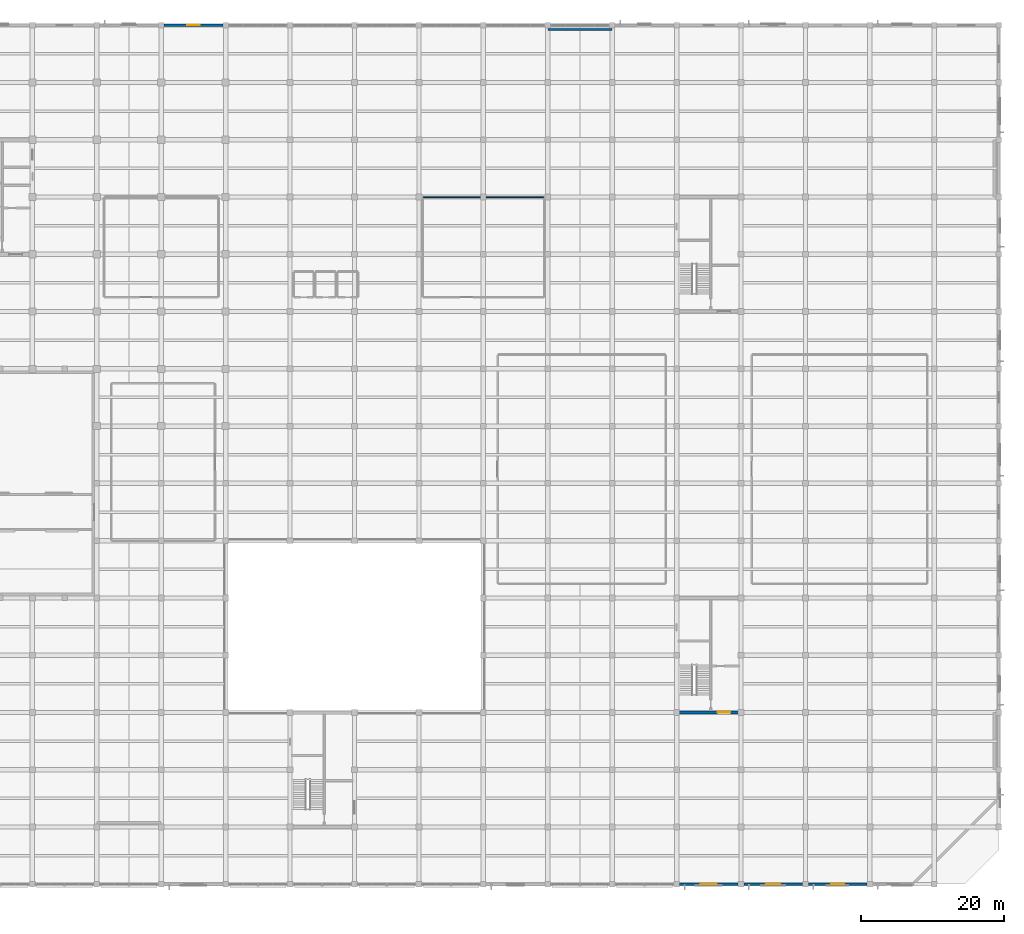
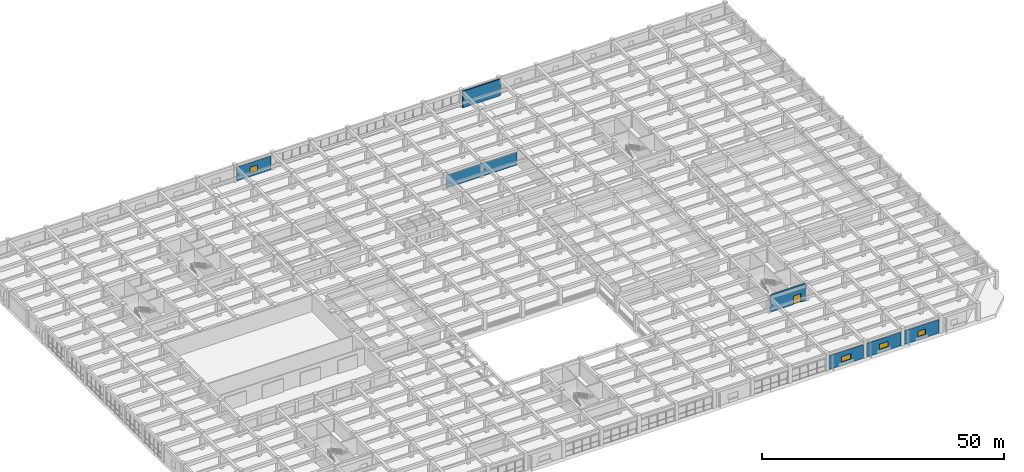
# One storey, part 32 of 50: 7 walls, 4 windows, 1 door, 5 openings.
"""IFC4 building model written with IfcOpenShell, lengths in metres."""

import ifcopenshell
import ifcopenshell.guid

model = None  # the IFC model being written
_history = None  # IfcOwnerHistory: only IFC2X3 demands one
_inside = {}  # id of a spatial element -> (the spatial element, [elements in it])
_under = {}  # id of a project, library or spatial element -> (it, [spatial elements below it])
_declared = {}  # id of a project -> (the project, [libraries it declares])
_typed = {}  # id of a type object -> (the type object, [elements of that type])
_made_of = {}  # id of a material, layer set ... -> (it, [elements and type objects made of it])


def new_model(schema):
    """Start an empty IFC model of exactly this schema.

    Asked for "IFC4X3", IfcOpenShell would pick the latest addendum, in which some entities
    have other attributes; the version numbers below select the first issue.
    IFC2X3 requires an IfcOwnerHistory on every rooted entity: one is made here for all.
    """
    global model, _history
    if schema == "IFC4X3":
        model = ifcopenshell.file(schema_version=(4, 3, 0, 0))
    else:
        model = ifcopenshell.file(schema=schema)
    _inside.clear()
    _under.clear()
    _declared.clear()
    _typed.clear()
    _made_of.clear()
    _history = None
    if model.schema == "IFC2X3":
        org = make("IfcOrganization", Name="unknown")
        user = make(
            "IfcPersonAndOrganization",
            ThePerson=make("IfcPerson", FamilyName="unknown"),
            TheOrganization=org,
        )
        app = make(
            "IfcApplication",
            ApplicationDeveloper=org,
            Version="unknown",
            ApplicationFullName="unknown",
            ApplicationIdentifier="unknown",
        )
        _history = make(
            "IfcOwnerHistory",
            OwningUser=user,
            OwningApplication=app,
            ChangeAction="ADDED",
            CreationDate=0,
        )
    return model


def make(cls, **values):
    """One entity of the class cls with the attributes given. An attribute that is None is left unset."""
    return model.create_entity(
        cls, **{name: value for name, value in values.items() if value is not None}
    )


def rooted(cls, **values):
    """An entity with a GlobalId (a new one), such as an element, a storey or a relation."""
    return make(cls, GlobalId=ifcopenshell.guid.new(), OwnerHistory=_history, **values)


def si_unit(unit_type, name, prefix=None):
    """IfcSIUnit, for example si_unit("LENGTHUNIT", "METRE", prefix="MILLI")."""
    return make("IfcSIUnit", UnitType=unit_type, Prefix=prefix, Name=name)


def assignment(units):
    """IfcUnitAssignment: the units of a project."""
    return None if units is None else make("IfcUnitAssignment", Units=units)


def point(xyz):
    """IfcCartesianPoint."""
    return None if xyz is None else make("IfcCartesianPoint", Coordinates=xyz)


def direction(xyz):
    """IfcDirection."""
    return None if xyz is None else make("IfcDirection", DirectionRatios=xyz)


def frame(location, z_axis=None, x_axis=None):
    """IfcAxis2Placement3D, a coordinate frame: its origin and axes. An axis left out is left unset."""
    return make(
        "IfcAxis2Placement3D",
        Location=point(location),
        Axis=direction(z_axis),
        RefDirection=direction(x_axis),
    )


def frame_2d(location, x_axis=None):
    """IfcAxis2Placement2D, a coordinate frame in the plane: its origin and x axis."""
    return make(
        "IfcAxis2Placement2D", Location=point(location), RefDirection=direction(x_axis)
    )


def origin():
    """The frame at (0, 0, 0) with its axes left unset."""
    return frame((0.0, 0.0, 0.0))


def place(relative_to, where):
    """IfcLocalPlacement: puts the frame where relative to a parent placement (None: the world)."""
    return make(
        "IfcLocalPlacement", PlacementRelTo=relative_to, RelativePlacement=where
    )


def context(
    kind, dimensions, precision=None, world=None, true_north=None, identifier=None
):
    """IfcGeometricRepresentationContext, for example the 3D "Model" context."""
    return make(
        "IfcGeometricRepresentationContext",
        ContextIdentifier=identifier,
        ContextType=kind,
        CoordinateSpaceDimension=dimensions,
        Precision=precision,
        WorldCoordinateSystem=world,
        TrueNorth=true_north,
    )


def subcontext(parent, identifier, kind, view, scale=None):
    """IfcGeometricRepresentationSubContext, for example "Body" below "Model"."""
    return make(
        "IfcGeometricRepresentationSubContext",
        ContextIdentifier=identifier,
        ContextType=kind,
        ParentContext=parent,
        TargetScale=scale,
        TargetView=view,
    )


def project(units=None, contexts=None):
    """IfcProject with its units and contexts."""
    return rooted(
        "IfcProject",
        Name="project",
        RepresentationContexts=contexts,
        UnitsInContext=assignment(units),
    )


def spatial(cls, under=None, at=None, **own):
    """A site, building, storey or space (cls), placed at a placement, below another one or the project."""
    s = rooted(cls, ObjectPlacement=at, **own)
    if under is not None:
        _under.setdefault(under.id(), (under, []))[1].append(s)
    return s


def profile(cls, at=None, kind="AREA", **sizes):
    """A parametric profile (cls). Its sizes go by their IFC names, for example OverallWidth=200.0."""
    return make(cls, ProfileType=kind, Position=at, **sizes)


def rectangle(**sizes):
    """IfcRectangleProfileDef."""
    return profile("IfcRectangleProfileDef", **sizes)


def extrude(swept, where, along, depth):
    """IfcExtrudedAreaSolid: the profile swept, set in the frame where, extruded along a direction by depth."""
    return make(
        "IfcExtrudedAreaSolid",
        SweptArea=swept,
        Position=where,
        ExtrudedDirection=direction(along),
        Depth=depth,
    )


def shape(context_of_items, identifier, shape_type, items):
    """IfcShapeRepresentation: the items that make up one representation, for example the "Body"."""
    return make(
        "IfcShapeRepresentation",
        ContextOfItems=context_of_items,
        RepresentationIdentifier=identifier,
        RepresentationType=shape_type,
        Items=items,
    )


def material(Name=None, Category=None):
    """IfcMaterial."""
    return make("IfcMaterial", Name=Name, Category=Category)


def layer(
    of_material, thickness, ventilated=None, Name=None, Category=None, Priority=None
):
    """IfcMaterialLayer: one layer of a wall or slab, of a material (None: an air gap)."""
    return make(
        "IfcMaterialLayer",
        Material=of_material,
        LayerThickness=thickness,
        IsVentilated=ventilated,
        Name=Name,
        Category=Category,
        Priority=Priority,
    )


def layer_set(layers, Name=None):
    """IfcMaterialLayerSet."""
    return make("IfcMaterialLayerSet", MaterialLayers=layers, LayerSetName=Name)


def made_of(thing, what):
    """Note that an element or type object is made of a material, layer set ...; save() writes the relation."""
    if what is not None:
        _made_of.setdefault(what.id(), (what, []))[1].append(thing)
    return thing


def type_object(cls, material=None, **own):
    """A type object (cls), such as IfcWallType, which elements share."""
    return made_of(rooted(cls, **own), material)


def element(
    cls,
    number,
    at=None,
    inside=None,
    cuts=None,
    type_object=None,
    material=None,
    context=None,
    identifier="Body",
    shape_type=None,
    held_by="IfcProductDefinitionShape",
    body=None,
    shapes=None,
    **own,
):
    """One element of the class cls, such as IfcWall. Its Tag is "e" and its number.

    at: its placement. inside: the storey or other place that contains it. cuts: it is an
    opening in that element (IfcRelVoidsElement). A single representation is given by context,
    identifier, shape_type and body (its items); several are given by shapes. held_by: the class
    of the entity that holds the representations. save() writes the other relations.
    """
    e = rooted(cls, Tag="e%d" % number, ObjectPlacement=at, **own)
    if body is not None:
        shapes = [shape(context, identifier, shape_type, body)]
    if shapes is not None:
        e.Representation = make(held_by, Representations=shapes)
    if inside is not None:
        _inside.setdefault(inside.id(), (inside, []))[1].append(e)
    if cuts is not None:
        rooted(
            "IfcRelVoidsElement", RelatingBuildingElement=cuts, RelatedOpeningElement=e
        )
    if type_object is not None:
        _typed.setdefault(type_object.id(), (type_object, []))[1].append(e)
    return made_of(e, material)


def fill(opening, filler):
    """IfcRelFillsElement: the door or window that sits in an opening."""
    return rooted(
        "IfcRelFillsElement",
        RelatingOpeningElement=opening,
        RelatedBuildingElement=filler,
    )


def aggregate(whole, parts):
    """IfcRelAggregates: a whole, such as a stair, and the parts it consists of."""
    return rooted("IfcRelAggregates", RelatingObject=whole, RelatedObjects=parts)


def save(model, path):
    """Write the relations noted so far, then the file.

    IfcRelAggregates (storeys below a building ...), IfcRelContainedInSpatialStructure (elements
    in a storey), IfcRelDefinesByType, IfcRelAssociatesMaterial and IfcRelDeclares: one each for
    every whole, place, type object, material and project.
    """
    for whole, parts in _under.values():
        aggregate(whole, parts)
    for where, things in _inside.values():
        rooted(
            "IfcRelContainedInSpatialStructure",
            RelatedElements=things,
            RelatingStructure=where,
        )
    for kind, things in _typed.values():
        rooted("IfcRelDefinesByType", RelatedObjects=things, RelatingType=kind)
    for what, things in _made_of.values():
        rooted("IfcRelAssociatesMaterial", RelatedObjects=things, RelatingMaterial=what)
    for by, libraries in _declared.values():
        rooted("IfcRelDeclares", RelatingContext=by, RelatedDefinitions=libraries)
    model.write(path)


model = new_model("IFC4")

# Units and contexts
model_context = context("Model", 3, precision=1e-05, world=origin(), true_north=direction((0.0, 1.0)))
body_context = subcontext(model_context, "Body", "Model", "MODEL_VIEW")
ifc_project = project(units=[si_unit("LENGTHUNIT", "METRE"), si_unit("AREAUNIT", "SQUARE_METRE"), si_unit("VOLUMEUNIT", "CUBIC_METRE"), si_unit("PLANEANGLEUNIT", "RADIAN"), si_unit("MASSUNIT", "GRAM", prefix="KILO")], contexts=[model_context])

# Site, building, storey
site_placement = place(None, origin())
site = spatial("IfcSite", under=ifc_project, at=site_placement, CompositionType="ELEMENT")
building_placement = place(site_placement, origin())
building = spatial("IfcBuilding", under=site, at=building_placement, Name="Zaverband Oceanarium and Marine Research Institute", CompositionType="ELEMENT")
storey_placement = place(building_placement, frame((0.0, 0.0, 4.5)))
storey = spatial("IfcBuildingStorey", under=building, at=storey_placement, Name="L01", CompositionType="ELEMENT", Elevation=4.5)

# Wall, opening, door
ifc_material_1 = material(Name="Concrete C50/60", Category="concrete")
ifc_layer_1 = layer(ifc_material_1, 0.449951171875, Name="Concrete C50/60")
ifc_layer_set_1 = layer_set([ifc_layer_1], Name="Concrete C50/60")
wall_type_1 = type_object("IfcWallType", Name="CW-02", PredefinedType="SHEAR", material=ifc_layer_set_1)
wall_1_placement = place(storey_placement, frame((135.22509765625, 24.0, 0.0), z_axis=(0.0, 0.0, 1.0), x_axis=(1.0, 0.0, 0.0)))
wall_1 = element("IfcWall", 1, at=wall_1_placement, inside=storey, type_object=wall_type_1, Name="Structural shear wall CW-02", PredefinedType="SHEAR", context=body_context, shape_type="SweptSolid", body=[
    extrude(rectangle(XDim=8.5498046875, YDim=0.449951171875, at=frame_2d((4.27490234375, 0.0))), origin(), (0.0, 0.0, 1.0), 4.179931640625),
])
opening_1_placement = place(wall_1_placement, frame((5.5, 0.0, 0.0)))
opening_1 = element("IfcOpeningElement", 2, at=opening_1_placement, cuts=wall_1, Name="Opening FD-02", PredefinedType="OPENING", context=body_context, shape_type="SweptSolid", body=[
    extrude(rectangle(XDim=1.800048828125, YDim=2.179931640625, at=frame_2d((0.89990234375, 1.08984375))), frame((0.0, 0.23681640625, 0.0), z_axis=(0.0, -1.0, 0.0), x_axis=(1.0, 0.0, 0.0)), (0.0, 0.0, 1.0), 0.473876953125),
])
ifc_material_2 = material(Name="Steel S355", Category="steel")
door_type = type_object("IfcDoorType", Name="FD-02", OperationType="DOUBLE_DOOR_SINGLE_SWING", PredefinedType="DOOR", material=ifc_material_2)
door_placement = place(opening_1_placement, origin())
door = element("IfcDoor", 3, at=door_placement, inside=storey, type_object=door_type, Name="Protected lobby double fire door FD-02", OperationType="DOUBLE_DOOR_SINGLE_SWING", OverallHeight=2.179931640625, OverallWidth=1.800048828125, PredefinedType="DOOR", context=body_context, shape_type="SweptSolid", body=[
    extrude(rectangle(XDim=1.800048828125, YDim=2.179931640625, at=frame_2d((0.89990234375, 1.08984375))), frame((0.0, 0.02490234375, 0.0), z_axis=(0.0, -1.0, 0.0), x_axis=(1.0, 0.0, 0.0)), (0.0, 0.0, 1.0), 0.050048828125),
])
fill(opening_1, door)

# Wall, opening, window
ifc_material_3 = material(Name="Concrete C40/50 precast", Category="concrete")
ifc_layer_2 = layer(ifc_material_3, 0.2900390625, Name="Concrete C40/50 precast")
ifc_layer_set_2 = layer_set([ifc_layer_2], Name="Concrete C40/50 precast")
wall_type_2 = type_object("IfcWallType", Name="EW-290", PredefinedType="STANDARD", material=ifc_layer_set_2)
wall_2_placement = place(storey_placement, frame((153.405029296875, 0.0, 0.0), z_axis=(0.0, 0.0, 1.0), x_axis=(1.0, 0.0, 0.0)))
wall_2 = element("IfcWall", 4, at=wall_2_placement, inside=storey, type_object=wall_type_2, Name="Exterior infill wall EW-290", PredefinedType="STANDARD", context=body_context, shape_type="SweptSolid", body=[
    extrude(rectangle(XDim=8.18994140625, YDim=0.2900390625, at=frame_2d((4.094970703125, 0.0))), origin(), (0.0, 0.0, 1.0), 3.4599609375),
])
opening_2_placement = place(wall_2_placement, frame((3.195068359375, 0.0, 0.85009765625)))
opening_2 = element("IfcOpeningElement", 5, at=opening_2_placement, cuts=wall_2, Name="Opening WN-1800x1350", PredefinedType="OPENING", context=body_context, shape_type="SweptSolid", body=[
    extrude(rectangle(XDim=1.800048828125, YDim=1.35009765625, at=frame_2d((0.89990234375, 0.675048828125))), frame((0.0, 0.156982421875, 0.0), z_axis=(0.0, -1.0, 0.0), x_axis=(1.0, 0.0, 0.0)), (0.0, 0.0, 1.0), 0.31396484375),
])
ifc_material_4 = material(Name="Thermally broken anodized aluminium and solar-control glass", Category="aluminium")
window_type_1 = type_object("IfcWindowType", Name="WN-1800x1350", PartitioningType="SINGLE_PANEL", PredefinedType="WINDOW", material=ifc_material_4)
window_1_placement = place(opening_2_placement, origin())
window_1 = element("IfcWindow", 6, at=window_1_placement, inside=storey, type_object=window_type_1, Name="Fixed / casement exterior window WN-1800x1350", OverallHeight=1.35009765625, OverallWidth=1.800048828125, PartitioningType="SINGLE_PANEL", PredefinedType="WINDOW", context=body_context, shape_type="SweptSolid", body=[
    extrude(rectangle(XDim=1.800048828125, YDim=1.35009765625, at=frame_2d((0.89990234375, 0.675048828125))), frame((0.0, 0.030029296875, 0.0), z_axis=(0.0, -1.0, 0.0), x_axis=(1.0, 0.0, 0.0)), (0.0, 0.0, 1.0), 0.06005859375),
])
fill(opening_2, window_1)

ifc_layer_3 = layer(ifc_material_3, 0.31005859375, Name="Concrete C40/50 precast")
ifc_layer_set_3 = layer_set([ifc_layer_3], Name="Concrete C40/50 precast")
wall_type_3 = type_object("IfcWallType", Name="EW-310", PredefinedType="STANDARD", material=ifc_layer_set_3)
wall_3_placement = place(storey_placement, frame((144.405029296875, 0.0, 0.0), z_axis=(0.0, 0.0, 1.0), x_axis=(1.0, 0.0, 0.0)))
wall_3 = element("IfcWall", 7, at=wall_3_placement, inside=storey, type_object=wall_type_3, Name="Exterior infill wall EW-310", PredefinedType="STANDARD", context=body_context, shape_type="SweptSolid", body=[
    extrude(rectangle(XDim=8.18994140625, YDim=0.31005859375, at=frame_2d((4.094970703125, 0.0))), origin(), (0.0, 0.0, 1.0), 3.4599609375),
])
opening_3_placement = place(wall_3_placement, frame((3.094970703125, 0.0, 0.85009765625)))
opening_3 = element("IfcOpeningElement", 8, at=opening_3_placement, cuts=wall_3, Name="Opening WN-2000x1350", PredefinedType="OPENING", context=body_context, shape_type="SweptSolid", body=[
    extrude(rectangle(XDim=2.0, YDim=1.35009765625, at=frame_2d((1.0, 0.675048828125))), frame((0.0, 0.1669921875, 0.0), z_axis=(0.0, -1.0, 0.0), x_axis=(1.0, 0.0, 0.0)), (0.0, 0.0, 1.0), 0.333984375),
])
window_type_2 = type_object("IfcWindowType", Name="WN-2000x1350", PartitioningType="SINGLE_PANEL", PredefinedType="WINDOW", material=ifc_material_4)
window_2_placement = place(opening_3_placement, origin())
window_2 = element("IfcWindow", 9, at=window_2_placement, inside=storey, type_object=window_type_2, Name="Fixed / casement exterior window WN-2000x1350", OverallHeight=1.35009765625, OverallWidth=2.0, PartitioningType="SINGLE_PANEL", PredefinedType="WINDOW", context=body_context, shape_type="SweptSolid", body=[
    extrude(rectangle(XDim=2.0, YDim=1.35009765625, at=frame_2d((1.0, 0.675048828125))), frame((0.0, 0.030029296875, 0.0), z_axis=(0.0, -1.0, 0.0), x_axis=(1.0, 0.0, 0.0)), (0.0, 0.0, 1.0), 0.06005859375),
])
fill(opening_3, window_2)

ifc_layer_4 = layer(ifc_material_3, 0.340087890625, Name="Concrete C40/50 precast")
ifc_layer_set_4 = layer_set([ifc_layer_4], Name="Concrete C40/50 precast")
wall_type_4 = type_object("IfcWallType", Name="EW-340", PredefinedType="STANDARD", material=ifc_layer_set_4)
wall_4_placement = place(storey_placement, frame((135.405029296875, 0.0, 0.0), z_axis=(0.0, 0.0, 1.0), x_axis=(1.0, 0.0, 0.0)))
wall_4 = element("IfcWall", 10, at=wall_4_placement, inside=storey, type_object=wall_type_4, Name="Exterior infill wall EW-340", PredefinedType="STANDARD", context=body_context, shape_type="SweptSolid", body=[
    extrude(rectangle(XDim=8.18994140625, YDim=0.340087890625, at=frame_2d((4.094970703125, 0.0))), origin(), (0.0, 0.0, 1.0), 3.4599609375),
])
opening_4_placement = place(wall_4_placement, frame((2.9951171875, 0.0, 0.85009765625)))
opening_4 = element("IfcOpeningElement", 11, at=opening_4_placement, cuts=wall_4, Name="Opening WN-2200x1350", PredefinedType="OPENING", context=body_context, shape_type="SweptSolid", body=[
    extrude(rectangle(XDim=2.199951171875, YDim=1.35009765625, at=frame_2d((1.10009765625, 0.675048828125))), frame((0.0, 0.18212890625, 0.0), z_axis=(0.0, -1.0, 0.0), x_axis=(1.0, 0.0, 0.0)), (0.0, 0.0, 1.0), 0.364013671875),
])
window_type_3 = type_object("IfcWindowType", Name="WN-2200x1350", PartitioningType="SINGLE_PANEL", PredefinedType="WINDOW", material=ifc_material_4)
window_3_placement = place(opening_4_placement, origin())
window_3 = element("IfcWindow", 12, at=window_3_placement, inside=storey, type_object=window_type_3, Name="Fixed / casement exterior window WN-2200x1350", OverallHeight=1.35009765625, OverallWidth=2.199951171875, PartitioningType="SINGLE_PANEL", PredefinedType="WINDOW", context=body_context, shape_type="SweptSolid", body=[
    extrude(rectangle(XDim=2.199951171875, YDim=1.35009765625, at=frame_2d((1.10009765625, 0.675048828125))), frame((0.0, 0.030029296875, 0.0), z_axis=(0.0, -1.0, 0.0), x_axis=(1.0, 0.0, 0.0)), (0.0, 0.0, 1.0), 0.06005859375),
])
fill(opening_4, window_3)

wall_5_placement = place(storey_placement, frame((63.405029296875, 120.0, 0.0), z_axis=(0.0, 0.0, 1.0), x_axis=(1.0, 0.0, 0.0)))
wall_5 = element("IfcWall", 13, at=wall_5_placement, inside=storey, type_object=wall_type_4, Name="Exterior infill wall EW-340", PredefinedType="STANDARD", context=body_context, shape_type="SweptSolid", body=[
    extrude(rectangle(XDim=8.18994140625, YDim=0.340087890625, at=frame_2d((4.094970703125, 0.0))), origin(), (0.0, 0.0, 1.0), 3.4599609375),
])
opening_5_placement = place(wall_5_placement, frame((3.195068359375, 0.0, 0.85009765625)))
opening_5 = element("IfcOpeningElement", 14, at=opening_5_placement, cuts=wall_5, Name="Opening WN-1800x1500", PredefinedType="OPENING", context=body_context, shape_type="SweptSolid", body=[
    extrude(rectangle(XDim=1.800048828125, YDim=1.5, at=frame_2d((0.89990234375, 0.75))), frame((0.0, 0.18212890625, 0.0), z_axis=(0.0, -1.0, 0.0), x_axis=(1.0, 0.0, 0.0)), (0.0, 0.0, 1.0), 0.364013671875),
])
window_type_4 = type_object("IfcWindowType", Name="WN-1800x1500", PartitioningType="SINGLE_PANEL", PredefinedType="WINDOW", material=ifc_material_4)
window_4_placement = place(opening_5_placement, origin())
window_4 = element("IfcWindow", 15, at=window_4_placement, inside=storey, type_object=window_type_4, Name="Fixed / casement exterior window WN-1800x1500", OverallHeight=1.5, OverallWidth=1.800048828125, PartitioningType="SINGLE_PANEL", PredefinedType="WINDOW", context=body_context, shape_type="SweptSolid", body=[
    extrude(rectangle(XDim=1.800048828125, YDim=1.5, at=frame_2d((0.89990234375, 0.75))), frame((0.0, 0.030029296875, 0.0), z_axis=(0.0, -1.0, 0.0), x_axis=(1.0, 0.0, 0.0)), (0.0, 0.0, 1.0), 0.06005859375),
])
fill(opening_5, window_4)

# Walls
ifc_material_5 = material(Name="Acoustic classroom partition")
ifc_layer_5 = layer(ifc_material_5, 0.139892578125, Name="Acoustic classroom partition")
ifc_layer_set_5 = layer_set([ifc_layer_5], Name="Acoustic classroom partition")
wall_type_5 = type_object("IfcWallType", Name="PT-140-CL", PredefinedType="PARTITIONING", material=ifc_layer_set_5)
wall_6_placement = place(storey_placement, frame((99.570068359375, 96.0, 0.0), z_axis=(0.0, 0.0, 1.0), x_axis=(1.0, 0.0, 0.0)))
element("IfcWall", 16, at=wall_6_placement, inside=storey, type_object=wall_type_5, Name="Acoustic partition PT-140-CL", PredefinedType="PARTITIONING", context=body_context, shape_type="SweptSolid", body=[
    extrude(rectangle(XDim=16.85986328125, YDim=0.139892578125, at=frame_2d((8.429931640625, 0.0))), origin(), (0.0, 0.0, 1.0), 3.330078125),
])
ifc_material_6 = material(Name="Concrete C40/50", Category="concrete")
ifc_layer_6 = layer(ifc_material_6, 0.280029296875, Name="Concrete C40/50")
ifc_layer_set_6 = layer_set([ifc_layer_6], Name="Concrete C40/50")
wall_type_6 = type_object("IfcWallType", Name="SCW-03", PredefinedType="SOLIDWALL", material=ifc_layer_set_6)
wall_7_placement = place(storey_placement, frame((117.0, 119.39990234375, 0.0), z_axis=(0.0, 0.0, 1.0), x_axis=(1.0, 0.0, 0.0)))
element("IfcWall", 17, at=wall_7_placement, inside=storey, type_object=wall_type_6, Name="Structural concrete wall SCW-03", PredefinedType="SOLIDWALL", context=body_context, shape_type="SweptSolid", body=[
    extrude(rectangle(XDim=9.0, YDim=0.280029296875, at=frame_2d((4.5, 0.0))), origin(), (0.0, 0.0, 1.0), 4.179931640625),
])

save(model, "model.ifc")
